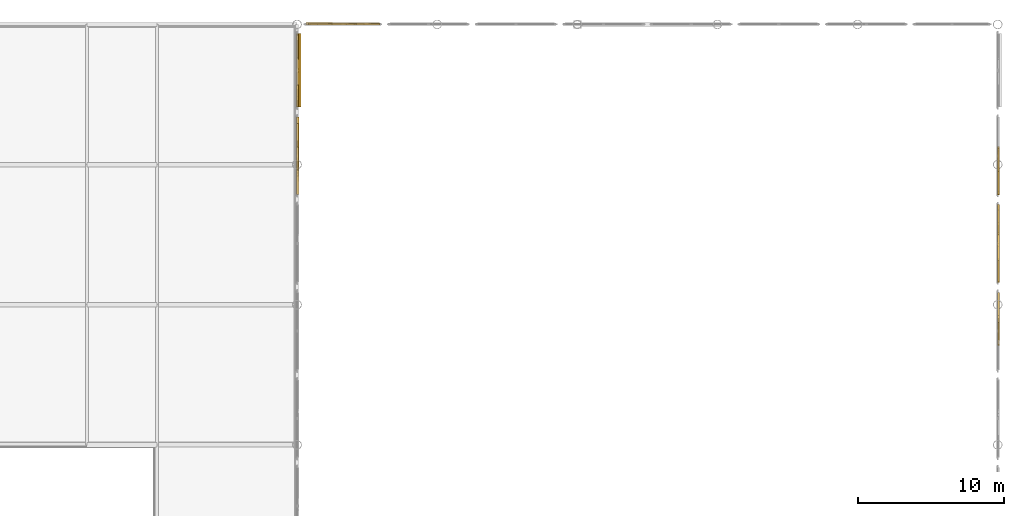
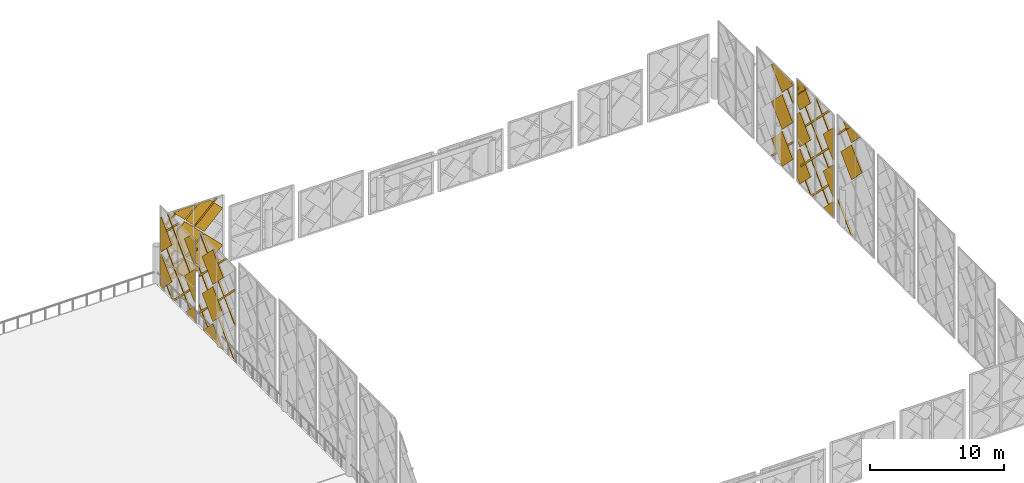
# One storey, part 51 of 53: 51 coverings.
"""IFC4 building model written with IfcOpenShell, lengths in metres."""

from ifc_helpers import new_model, si_unit, direction, frame, origin, place, context, subcontext, project, spatial, polyline, outline, extrude, material, layer, layer_set, type_object, element, save


model = new_model("IFC4")

# Units and contexts
model_context = context("Model", 3, precision=1e-05, world=origin(), true_north=direction((0.0, 1.0)))
body_context = subcontext(model_context, "Body", "Model", "MODEL_VIEW")
ifc_project = project(units=[si_unit("LENGTHUNIT", "METRE"), si_unit("AREAUNIT", "SQUARE_METRE"), si_unit("VOLUMEUNIT", "CUBIC_METRE"), si_unit("PLANEANGLEUNIT", "RADIAN"), si_unit("MASSUNIT", "GRAM", prefix="KILO")], contexts=[model_context])

# Site, building, storey
site_placement = place(None, origin())
site = spatial("IfcSite", under=ifc_project, at=site_placement, CompositionType="ELEMENT")
building_placement = place(site_placement, origin())
building = spatial("IfcBuilding", under=site, at=building_placement, Name="Zevrakil Square Congress Hotel", CompositionType="ELEMENT")
storey_placement = place(building_placement, frame((0.0, 0.0, 14.699951171875)))
storey = spatial("IfcBuildingStorey", under=building, at=storey_placement, Name="L04", CompositionType="ELEMENT", Elevation=14.699951171875)

# Coverings
ifc_material_1 = material(Name="Architectural White Fibre-C GRC", Category="concrete")
ifc_layer_1 = layer(ifc_material_1, 0.06494140625)
ifc_layer_set_1 = layer_set([ifc_layer_1], Name="Architectural White Fibre-C GRC")
covering_type_1 = type_object("IfcCoveringType", Name="COV-DIA-WHITE", PredefinedType="CLADDING", material=ifc_layer_set_1)
covering_1_placement = place(storey_placement, frame((117.694091796875, 104.409912109375, 1.330078125), z_axis=(0.999999790873, 0.0, 0.000646725815), x_axis=(0.000457304257, 0.707106707249, -0.707106707249)))
element("IfcCovering", 1, at=covering_1_placement, inside=storey, type_object=covering_type_1, Name="L04 45-degree white GRC diamond facade cassette 1248", PredefinedType="CLADDING", context=body_context, shape_type="SweptSolid", body=[
    extrude(outline(polyline([(0.0, 0.0), (2.1354765131557993, 0.0), (4.465861884739297e-07, -2.1354765131557527), (0.0, 0.0)])), origin(), (0.0, 0.0, -1.0), 0.1201171875),
])
covering_2_placement = place(storey_placement, frame((117.69189453125, 104.409912109375, 4.68994140625), z_axis=(0.999999811377, 0.0, 0.000614203339), x_axis=(0.000434274062, 0.707160967493, -0.707052457361)))
element("IfcCovering", 2, at=covering_2_placement, inside=storey, type_object=covering_type_1, Name="L04 45-degree white GRC diamond facade cassette 1250", PredefinedType="CLADDING", context=body_context, shape_type="SweptSolid", body=[
    extrude(outline(polyline([(0.0, 0.0), (2.248551551510707, 2.220446049250313e-16), (2.248379328934688, -2.248723959707921), (-0.00017198403640539262, -2.2483789048388836), (0.0, 0.0)])), origin(), (0.0, 0.0, -1.0), 0.1201171875),
])
covering_3_placement = place(storey_placement, frame((117.68994140625, 104.409912109375, 8.050048828125), z_axis=(0.999999811377, 0.0, 0.000614203339), x_axis=(0.000434307387, 0.707106714509, -0.707106714488)))
element("IfcCovering", 3, at=covering_3_placement, inside=storey, type_object=covering_type_1, Name="L04 45-degree white GRC diamond facade cassette 1252", PredefinedType="CLADDING", context=body_context, shape_type="SweptSolid", body=[
    extrude(outline(polyline([(0.0, 0.0), (2.2487240723349844, 0.0), (2.2485518629555123, -2.248551438892285), (0.00017305757096663932, -2.248551438827165), (0.0, 0.0)])), origin(), (0.0, 0.0, -1.0), 0.1201171875),
])
covering_4_placement = place(storey_placement, frame((117.695068359375, 108.56005859375, -0.179931640625), z_axis=(0.999999760125, 0.0, 0.000692640526), x_axis=(0.0, -1.0, 0.0)))
element("IfcCovering", 4, at=covering_4_placement, inside=storey, type_object=covering_type_1, Name="L04 45-degree white GRC diamond facade cassette 1261", PredefinedType="CLADDING", context=body_context, shape_type="SweptSolid", body=[
    extrude(outline(polyline([(0.0, 0.0), (1.41015625, 0.0), (1.41015625, -1.4099124475784226), (0.0, 0.0)])), origin(), (0.0, 0.0, -1.0), 0.1201171875),
])
covering_5_placement = place(storey_placement, frame((117.69482421875, 112.090087890625, -0.169921875), z_axis=(0.999999852362, 6.9136546e-05, 0.000538976151), x_axis=(-0.0003322268, -0.707106744146, 0.70710674018)))
element("IfcCovering", 5, at=covering_5_placement, inside=storey, type_object=covering_type_1, Name="L04 45-degree white GRC diamond facade cassette 1262", PredefinedType="CLADDING", context=body_context, shape_type="SweptSolid", body=[
    extrude(outline(polyline([(0.0, 0.0), (2.2487239795162237, 2.220446049250313e-16), (2.2485516641692254, -2.248551438863067), (2.1214934214367727, -2.2485514566580305), (0.00017263312519986973, -0.12723087144925127), (0.0, 0.0)])), origin(), (0.0, 0.0, -1.0), 0.1201171875),
])
covering_6_placement = place(storey_placement, frame((117.693115234375, 108.639892578125, 3.10009765625), z_axis=(0.9999998322, -8.1926907e-05, 0.000573488352), x_axis=(0.000347586468, -0.707106738472, -0.707106738472)))
element("IfcCovering", 6, at=covering_6_placement, inside=storey, type_object=covering_type_1, Name="L04 45-degree white GRC diamond facade cassette 1263", PredefinedType="CLADDING", context=body_context, shape_type="SweptSolid", body=[
    extrude(outline(polyline([(0.0, 0.0), (2.107164524546562, -2.220446049250313e-16), (-3.394399104017509e-07, -2.1071646235498394), (0.0, 0.0)])), origin(), (0.0, 0.0, -1.0), 0.1201171875),
])
covering_7_placement = place(storey_placement, frame((117.69287109375, 112.090087890625, 3.18994140625), z_axis=(0.999999803681, -0.000134428833, 0.000612019203), x_axis=(-0.000527818487, -0.707106705027, 0.707106660351)))
element("IfcCovering", 7, at=covering_7_placement, inside=storey, type_object=covering_type_1, Name="L04 45-degree white GRC diamond facade cassette 1264", PredefinedType="CLADDING", context=body_context, shape_type="SweptSolid", body=[
    extrude(outline(polyline([(0.0, 0.0), (2.2487240624961817, -2.220446049250313e-16), (2.2487245069052637, -2.2487240618501434), (2.1214935125356007, -2.2485513645797712), (0.00017262944814652736, -0.1272308759555356), (0.0, 0.0)])), origin(), (0.0, 0.0, -1.0), 0.1201171875),
])
covering_8_placement = place(storey_placement, frame((117.69091796875, 108.639892578125, 6.4599609375), z_axis=(0.999999787923, 2.780311e-06, 0.000651265036), x_axis=(0.000462479949, -0.707106705252, -0.70710670588)))
element("IfcCovering", 8, at=covering_8_placement, inside=storey, type_object=covering_type_1, Name="L04 45-degree white GRC diamond facade cassette 1265", PredefinedType="CLADDING", context=body_context, shape_type="SweptSolid", body=[
    extrude(outline(polyline([(0.0, 0.0), (2.1071646235488783, 2.220446049250313e-16), (0.5189359934280854, -1.5882282890116075), (-0.00017285976820125004, -1.0691193243271722), (0.0, 0.0)])), origin(), (0.0, 0.0, -1.0), 0.1201171875),
])
covering_9_placement = place(storey_placement, frame((165.68994140625, 92.409912109375, 8.050048828125), z_axis=(0.999999811377, 0.0, 0.000614203339), x_axis=(0.000434307387, 0.707106714509, -0.707106714488)))
element("IfcCovering", 9, at=covering_9_placement, inside=storey, type_object=covering_type_1, Name="L04 45-degree white GRC diamond facade cassette 1330", PredefinedType="CLADDING", context=body_context, shape_type="SweptSolid", body=[
    extrude(outline(polyline([(0.0, 0.0), (2.2487240723349844, 0.0), (2.2485518629555123, -2.248551438892285), (0.00017305757096663932, -2.248551438827165), (0.0, 0.0)])), origin(), (0.0, 0.0, -1.0), 0.1201171875),
])
covering_10_placement = place(storey_placement, frame((165.68994140625, 92.409912109375, 8.22998046875), z_axis=(0.999999824452, 0.0, 0.000592533967), x_axis=(-0.000419026202, -0.70703687796, 0.70717655336)))
element("IfcCovering", 10, at=covering_10_placement, inside=storey, type_object=covering_type_1, Name="L04 45-degree white GRC diamond facade cassette 1332", PredefinedType="CLADDING", context=body_context, shape_type="SweptSolid", body=[
    extrude(outline(polyline([(0.0, 0.0), (1.7479142634208928, 1.1102230246251565e-16), (0.00017295742967926575, -1.7480868798158407), (0.0, 0.0)])), origin(), (0.0, 0.0, -1.0), 0.1201171875),
])
covering_11_placement = place(storey_placement, frame((165.695068359375, 96.56005859375, -0.179931640625), z_axis=(0.999999760125, 0.0, 0.000692640526), x_axis=(0.0, -1.0, 0.0)))
element("IfcCovering", 11, at=covering_11_placement, inside=storey, type_object=covering_type_1, Name="L04 45-degree white GRC diamond facade cassette 1341", PredefinedType="CLADDING", context=body_context, shape_type="SweptSolid", body=[
    extrude(outline(polyline([(0.0, 0.0), (1.41015625, 0.0), (1.41015625, -1.4099124475784226), (0.0, 0.0)])), origin(), (0.0, 0.0, -1.0), 0.1201171875),
])
covering_12_placement = place(storey_placement, frame((165.69482421875, 100.090087890625, -0.169921875), z_axis=(0.99999985684, 5.4809643e-05, 0.000532274308), x_axis=(-0.00033761853, -0.707106744383, 0.707106737389)))
element("IfcCovering", 12, at=covering_12_placement, inside=storey, type_object=covering_type_1, Name="L04 45-degree white GRC diamond facade cassette 1342", PredefinedType="CLADDING", context=body_context, shape_type="SweptSolid", body=[
    extrude(outline(polyline([(0.0, 0.0), (2.2487239794044704, 0.0), (2.2485516645083075, -2.2485514384696526), (1.739628078143224, -2.248551405931103), (7.990954326020372e-08, -0.5089235904418198), (0.0, 0.0)])), origin(), (0.0, 0.0, -1.0), 0.1201171875),
])
covering_13_placement = place(storey_placement, frame((165.693115234375, 96.639892578125, 3.10009765625), z_axis=(0.9999998322, -8.1926907e-05, 0.000573488352), x_axis=(0.000347586468, -0.707106738472, -0.707106738472)))
element("IfcCovering", 13, at=covering_13_placement, inside=storey, type_object=covering_type_1, Name="L04 45-degree white GRC diamond facade cassette 1343", PredefinedType="CLADDING", context=body_context, shape_type="SweptSolid", body=[
    extrude(outline(polyline([(0.0, 0.0), (2.107164524546562, -2.220446049250313e-16), (-3.394399104017509e-07, -2.1071646235498394), (0.0, 0.0)])), origin(), (0.0, 0.0, -1.0), 0.1201171875),
])
covering_14_placement = place(storey_placement, frame((165.69287109375, 100.090087890625, 3.18994140625), z_axis=(0.999999812837, 0.0, 0.000611822413), x_axis=(-0.000432623818, -0.707106714509, 0.707106715519)))
element("IfcCovering", 14, at=covering_14_placement, inside=storey, type_object=covering_type_1, Name="L04 45-degree white GRC diamond facade cassette 1344", PredefinedType="CLADDING", context=body_context, shape_type="SweptSolid", body=[
    extrude(outline(polyline([(0.0, 0.0), (2.2487240723319237, 0.0), (2.248724496421547, -2.2487240723318838), (1.7396282720071192, -2.248551428883111), (0.00017273945985246675, -0.5090962243818599), (0.0, 0.0)])), origin(), (0.0, 0.0, -1.0), 0.1201171875),
])
covering_15_placement = place(storey_placement, frame((165.69091796875, 96.639892578125, 6.4599609375), z_axis=(0.9999998322, 8.1926907e-05, 0.000573488352), x_axis=(0.000463448602, -0.707106705249, -0.707106705249)))
element("IfcCovering", 15, at=covering_15_placement, inside=storey, type_object=covering_type_1, Name="L04 45-degree white GRC diamond facade cassette 1345", PredefinedType="CLADDING", context=body_context, shape_type="SweptSolid", body=[
    extrude(outline(polyline([(0.0, 0.0), (2.107164623549867, -2.220446049250313e-16), (-3.3943989441453937e-07, -2.1071645245465347), (0.0, 0.0)])), origin(), (0.0, 0.0, -1.0), 0.1201171875),
])
covering_16_placement = place(storey_placement, frame((165.69091796875, 100.090087890625, 6.550048828125), z_axis=(0.999999838431, -9.352722e-06, 0.000568375038), x_axis=(-0.000408515253, -0.707106714984, 0.707106729384)))
element("IfcCovering", 16, at=covering_16_placement, inside=storey, type_object=covering_type_1, Name="L04 45-degree white GRC diamond facade cassette 1346", PredefinedType="CLADDING", context=body_context, shape_type="SweptSolid", body=[
    extrude(outline(polyline([(0.0, 0.0), (2.248724071588953, -2.220446049250313e-16), (2.2487242847524063, -1.3448149867361068), (1.5423081036697395, -2.0512313000327316), (0.00017273839596110285, -0.5090962231377676), (0.0, 0.0)])), origin(), (0.0, 0.0, -1.0), 0.1201171875),
])
covering_17_placement = place(storey_placement, frame((165.693115234375, 102.72998046875, 3.010009765625), z_axis=(0.999999856477, 2.18091e-07, 0.000535767289), x_axis=(0.000378661405, 0.70716100192, -0.707052454899)))
element("IfcCovering", 17, at=covering_17_placement, inside=storey, type_object=covering_type_1, Name="L04 45-degree white GRC diamond facade cassette 1356", PredefinedType="CLADDING", context=body_context, shape_type="SweptSolid", body=[
    extrude(outline(polyline([(0.0, 0.0), (2.2485514420054766, 2.220446049250313e-16), (2.2483791200414514, -2.248723969768042), (0.013811095500841475, -2.2485525000985067), (-0.00017114298715226184, -2.234568117059487), (0.0, 0.0)])), origin(), (0.0, 0.0, -1.0), 0.1201171875),
])
covering_18_placement = place(storey_placement, frame((165.69091796875, 102.72998046875, 6.3701171875), z_axis=(0.999999812584, 0.0, 0.000612235231), x_axis=(0.000432915724, 0.707106714509, -0.707106715341)))
element("IfcCovering", 18, at=covering_18_placement, inside=storey, type_object=covering_type_1, Name="L04 45-degree white GRC diamond facade cassette 1358", PredefinedType="CLADDING", context=body_context, shape_type="SweptSolid", body=[
    extrude(outline(polyline([(0.0, 0.0), (2.2487240723329105, -2.220446049250313e-16), (2.2487244964245092, -2.248724072332871), (0.014156369068123897, -2.2487240696714954), (4.240832742752332e-07, -2.2345681273563454), (0.0, 0.0)])), origin(), (0.0, 0.0, -1.0), 0.1201171875),
])
covering_19_placement = place(storey_placement, frame((165.68994140625, 104.320068359375, 8.14013671875), z_axis=(0.999999735551, -1.172327e-06, 0.000727252544), x_axis=(0.000513416292, -0.707106716816, -0.707106659167)))
element("IfcCovering", 19, at=covering_19_placement, inside=storey, type_object=covering_type_1, Name="L04 45-degree white GRC diamond facade cassette 1360", PredefinedType="CLADDING", context=body_context, shape_type="SweptSolid", body=[
    extrude(outline(polyline([(0.0, 0.0), (2.2487240652925458, 0.0), (2.2487236549996803, -2.2345681205691044), (2.2345677111394115, -2.24872406182791), (1.96439620719622, -2.2485514936769815), (0.00017251971333281935, -0.2843274485744313), (0.0, 0.0)])), origin(), (0.0, 0.0, -1.0), 0.1201171875),
])
covering_20_placement = place(storey_placement, frame((119.989990234375, 112.89404296875, 1.330078125), z_axis=(0.0, 0.999999790873, 0.000646725815), x_axis=(-0.707106707249, 0.000457304257, -0.707106707249)))
element("IfcCovering", 20, at=covering_20_placement, inside=storey, type_object=covering_type_1, Name="L04 45-degree white GRC diamond facade cassette 1446", PredefinedType="CLADDING", context=body_context, shape_type="SweptSolid", body=[
    extrude(outline(polyline([(0.0, 0.0), (2.1354765131557993, 0.0), (4.465861884739297e-07, -2.1354765131557527), (0.0, 0.0)])), origin(), (0.0, 0.0, -1.0), 0.1201171875),
])
covering_21_placement = place(storey_placement, frame((121.669921875, 112.89306640625, 3.010009765625), z_axis=(2.3579e-08, 0.999999812541, 0.0006123053), x_axis=(-0.707106714489, 0.000432981944, -0.707106715321)))
element("IfcCovering", 21, at=covering_21_placement, inside=storey, type_object=covering_type_1, Name="L04 45-degree white GRC diamond facade cassette 1447", PredefinedType="CLADDING", context=body_context, shape_type="SweptSolid", body=[
    extrude(outline(polyline([(0.0, 0.0), (2.248378805382471, -2.220446049250313e-16), (2.248551863014511, -2.248551438825186), (0.01398373565752209, -2.2485514362281265), (4.241484949929486e-07, -2.2345681273566456), (0.0, 0.0)])), origin(), (0.0, 0.0, -1.0), 0.1201171875),
])
covering_22_placement = place(storey_placement, frame((119.989990234375, 112.89208984375, 4.68994140625), z_axis=(0.0, 0.999999855586, 0.000537427945), x_axis=(-0.707161001881, 0.000379989803, -0.707052454226)))
element("IfcCovering", 22, at=covering_22_placement, inside=storey, type_object=covering_type_1, Name="L04 45-degree white GRC diamond facade cassette 1448", PredefinedType="CLADDING", context=body_context, shape_type="SweptSolid", body=[
    extrude(outline(polyline([(0.0, 0.0), (2.2485514421697053, 2.220446049250313e-16), (2.2483791201710894, -2.248723969644624), (-0.0003448494557509729, -2.2485514157257587), (0.0, 0.0)])), origin(), (0.0, 0.0, -1.0), 0.1201171875),
])
covering_23_placement = place(storey_placement, frame((120.080078125, 112.89208984375, 4.780029296875), z_axis=(0.0, 0.999999842103, 0.000561955119), x_axis=(0.70705245498, 0.000397392802, -0.707160991561)))
element("IfcCovering", 23, at=covering_23_placement, inside=storey, type_object=covering_type_1, Name="L04 45-degree white GRC diamond facade cassette 1449", PredefinedType="CLADDING", context=body_context, shape_type="SweptSolid", body=[
    extrude(outline(polyline([(0.0, 0.0), (2.248551346935006, -2.220446049250313e-16), (2.2483795595996554, -2.234568022002061), (2.234222528030325, -2.2487228784849247), (0.7209171744248163, -2.2486067889930266), (-0.0002901392735069619, -1.5272886519692042), (0.0, 0.0)])), origin(), (0.0, 0.0, -1.0), 0.1201171875),
])
covering_24_placement = place(storey_placement, frame((119.989990234375, 112.891845703125, 4.8701171875), z_axis=(0.0, 0.999999878368, 0.000493218189), x_axis=(0.707106738183, -0.000348757947, 0.707106738183)))
element("IfcCovering", 24, at=covering_24_placement, inside=storey, type_object=covering_type_1, Name="L04 45-degree white GRC diamond facade cassette 1450", PredefinedType="CLADDING", context=body_context, shape_type="SweptSolid", body=[
    extrude(outline(polyline([(0.0, 0.0), (1.40005770121603, 0.0), (1.7029196641704658e-07, -1.4000577012160196), (0.0, 0.0)])), origin(), (0.0, 0.0, -1.0), 0.1201171875),
])
ifc_material_2 = material(Name="Anodised Champagne Aluminium", Category="aluminium")
ifc_layer_2 = layer(ifc_material_2, 0.0849609375)
ifc_layer_set_2 = layer_set([ifc_layer_2], Name="Anodised Champagne Aluminium")
covering_type_2 = type_object("IfcCoveringType", Name="COV-DIAGRID-45", PredefinedType="MOLDING", material=ifc_layer_set_2)
covering_25_placement = place(storey_placement, frame((117.718017578125, 101.14990234375, 3.093994140625), z_axis=(0.99999990472, 0.000308497425, 0.000308852427), x_axis=(-0.000308852413, -9.528e-08, 0.999999952305)))
element("IfcCovering", 25, at=covering_25_placement, inside=storey, type_object=covering_type_2, Name="L04 45-degree aluminium diagrid rib 1255", PredefinedType="MOLDING", context=body_context, shape_type="SweptSolid", body=[
    extrude(outline(polyline([(0.0, 0.0), (0.21215819300613317, -2.8078904387053947e-24), (5.247070562758569, -5.034912848904865), (5.247070542520835, -5.247315182547628), (0.0, 0.0)])), origin(), (0.0, 0.0, -1.0), 0.14501953125),
])
covering_26_placement = place(storey_placement, frame((117.719970703125, 101.236083984375, -0.179931640625), z_axis=(0.999999877937, 0.000478784596, 0.000122029576), x_axis=(0.000478784592, -0.999999885383, 5.8426e-08)))
element("IfcCovering", 26, at=covering_26_placement, inside=storey, type_object=covering_type_2, Name="L04 45-degree aluminium diagrid rib 1256", PredefinedType="MOLDING", context=body_context, shape_type="SweptSolid", body=[
    extrude(outline(polyline([(0.0, 0.0), (0.08618163074708864, 0.0), (0.08618163810738114, -0.1259765615620276), (-5.213867792460008, -5.426025737525873), (-5.213867804855539, -5.213867535980521), (0.0, 0.0)])), origin(), (0.0, 0.0, -1.0), 0.14501953125),
])
covering_27_placement = place(storey_placement, frame((117.719970703125, 104.59619140625, -0.179931640625), z_axis=(0.999999903024, 0.000311410035, 0.000311410035), x_axis=(0.000311410019, -0.999999951512, 9.6976e-08)))
element("IfcCovering", 27, at=covering_27_placement, inside=storey, type_object=covering_type_2, Name="L04 45-degree aluminium diagrid rib 1257", PredefinedType="MOLDING", context=body_context, shape_type="SweptSolid", body=[
    extrude(outline(polyline([(0.0, 0.0), (0.21240233345101264, 0.0), (-1.8537598555103045, -2.0661623893299237), (-1.8537598761082796, -1.853760055878912), (0.0, 0.0)])), origin(), (0.0, 0.0, -1.0), 0.14501953125),
])
covering_28_placement = place(storey_placement, frame((117.716064453125, 101.14990234375, 6.25390625), z_axis=(0.999999834662, -7.68172e-07, 0.000575043033), x_axis=(-0.000575043033, 4.42e-10, 0.999999834663)))
element("IfcCovering", 28, at=covering_28_placement, inside=storey, type_object=covering_type_2, Name="L04 45-degree aluminium diagrid rib 1259", PredefinedType="MOLDING", context=body_context, shape_type="SweptSolid", body=[
    extrude(outline(polyline([(0.0, 0.0), (0.2121581680473443, 0.0), (-5.087647325552662, -5.300048830373941), (-5.3000497745760065, -5.300048830561482), (0.0, 0.0)])), origin(), (0.0, 0.0, -1.0), 0.14501953125),
])
covering_29_placement = place(storey_placement, frame((117.71484375, 102.4228515625, 8.341064453125), z_axis=(0.999999581473, 0.000279617206, 0.000871130299), x_axis=(-0.0002796171, 0.999999960907, -2.43583e-07)))
element("IfcCovering", 29, at=covering_29_placement, inside=storey, type_object=covering_type_2, Name="L04 45-degree aluminium diagrid rib 1260", PredefinedType="MOLDING", context=body_context, shape_type="SweptSolid", body=[
    extrude(outline(polyline([(0.0, 0.0), (0.21215819483112233, 0.0), (4.027099766805976, -3.814941872835875), (4.027099750218219, -4.027100208139122), (0.0, 0.0)])), origin(), (0.0, 0.0, -1.0), 0.14501953125),
])
covering_30_placement = place(storey_placement, frame((117.718017578125, 107.14990234375, 3.093994140625), z_axis=(0.999999907611, 0.000303781174, 0.00030413075), x_axis=(-0.000304130736, -9.2389e-08, 0.999999953752)))
element("IfcCovering", 30, at=covering_30_placement, inside=storey, type_object=covering_type_2, Name="L04 45-degree aluminium diagrid rib 1266", PredefinedType="MOLDING", context=body_context, shape_type="SweptSolid", body=[
    extrude(outline(polyline([(0.0, 0.0), (0.21215819331315888, -2.8078904387053947e-24), (4.122070503136517, -3.909912670619058), (4.122070483512835, -4.1223150045684935), (0.0, 0.0)])), origin(), (0.0, 0.0, -1.0), 0.14501953125),
])
covering_31_placement = place(storey_placement, frame((117.719970703125, 107.236083984375, -0.179931640625), z_axis=(0.999999753919, -8.7267435e-05, 0.000696093713), x_axis=(-8.7267414e-05, -0.999999996192, -6.0746e-08)))
element("IfcCovering", 31, at=covering_31_placement, inside=storey, type_object=covering_type_2, Name="L04 45-degree aluminium diagrid rib 1267", PredefinedType="MOLDING", context=body_context, shape_type="SweptSolid", body=[
    extrude(outline(polyline([(0.0, 0.0), (0.08618164029683732, 0.0), (0.0861816326442256, -0.1259765319792475), (-4.943847673661377, -5.156006819494465), (-4.94384768207907, -4.943848497824969), (0.0, 0.0)])), origin(), (0.0, 0.0, -1.0), 0.14501953125),
])
covering_32_placement = place(storey_placement, frame((117.719970703125, 110.59619140625, -0.179931640625), z_axis=(0.999999916523, 0.000288757226, 0.000289089512), x_axis=(0.000288757214, -0.99999995831, 8.3477e-08)))
element("IfcCovering", 32, at=covering_32_placement, inside=storey, type_object=covering_type_2, Name="L04 45-degree aluminium diagrid rib 1268", PredefinedType="MOLDING", context=body_context, shape_type="SweptSolid", body=[
    extrude(outline(polyline([(0.0, 0.0), (0.21240233489486798, -2.81112161297318e-24), (-1.5837403004017168, -1.796142785384697), (-1.5837403181119811, -1.5839845911250197), (0.0, 0.0)])), origin(), (0.0, 0.0, -1.0), 0.14501953125),
])
covering_33_placement = place(storey_placement, frame((117.718017578125, 107.14990234375, 2.89404296875), z_axis=(0.999999905696, -0.00030708991, 0.00030708991), x_axis=(-0.000307089896, 9.4304e-08, 0.999999952848)))
element("IfcCovering", 33, at=covering_33_placement, inside=storey, type_object=covering_type_2, Name="L04 45-degree aluminium diagrid rib 1269", PredefinedType="MOLDING", context=body_context, shape_type="SweptSolid", body=[
    extrude(outline(polyline([(0.0, 0.0), (0.2121581931212936, 0.0), (-3.0739747543193885, -3.2861332573369064), (-3.073974774326802, -3.0739750642156136), (0.0, 0.0)])), origin(), (0.0, 0.0, -1.0), 0.14501953125),
])
covering_34_placement = place(storey_placement, frame((117.716064453125, 107.14990234375, 6.25390625), z_axis=(-0.999999830382, 0.000582439352, 0.0), x_axis=(0.0, 0.0, 1.0)))
element("IfcCovering", 34, at=covering_34_placement, inside=storey, type_object=covering_type_2, Name="L04 45-degree aluminium diagrid rib 1270", PredefinedType="MOLDING", context=body_context, shape_type="SweptSolid", body=[
    extrude(outline(polyline([(0.0, 0.0), (0.212158203125, 0.0), (-4.81787109375, 5.0300301500577165), (-5.030029296875, 5.0300301500577165), (0.0, 0.0)])), origin(), (0.0, 0.0, -1.0), 0.14501953125),
])
covering_35_placement = place(storey_placement, frame((117.715576171875, 109.5478515625, 7.216064453125), z_axis=(0.999999915927, -0.0002899531, 0.0002899531), x_axis=(0.000289953088, 0.999999957964, 8.4073e-08)))
element("IfcCovering", 35, at=covering_35_placement, inside=storey, type_object=covering_type_2, Name="L04 45-degree aluminium diagrid rib 1271", PredefinedType="MOLDING", context=body_context, shape_type="SweptSolid", body=[
    extrude(outline(polyline([(0.0, 0.0), (0.2121581942066327, 0.0), (2.6320801887681777, -2.4199221980111894), (2.632080170931443, -2.6320803922178215), (0.0, 0.0)])), origin(), (0.0, 0.0, -1.0), 0.14501953125),
])
covering_36_placement = place(storey_placement, frame((165.719970703125, 92.59619140625, -0.179931640625), z_axis=(0.999999903024, 0.000311410035, 0.000311410035), x_axis=(0.000311410019, -0.999999951512, 9.6976e-08)))
element("IfcCovering", 36, at=covering_36_placement, inside=storey, type_object=covering_type_2, Name="L04 45-degree aluminium diagrid rib 1336", PredefinedType="MOLDING", context=body_context, shape_type="SweptSolid", body=[
    extrude(outline(polyline([(0.0, 0.0), (0.21240233345101264, 0.0), (-1.8537598555103045, -2.0661623893299237), (-1.8537598761082796, -1.853760055878912), (0.0, 0.0)])), origin(), (0.0, 0.0, -1.0), 0.14501953125),
])
covering_37_placement = place(storey_placement, frame((165.714111328125, 92.657958984375, 9.466064453125), z_axis=(0.999999916124, -0.00028978025, 0.000289447169), x_axis=(0.000289780238, 0.999999958014, 8.3876e-08)))
element("IfcCovering", 37, at=covering_37_placement, inside=storey, type_object=covering_type_2, Name="L04 45-degree aluminium diagrid rib 1340", PredefinedType="MOLDING", context=body_context, shape_type="SweptSolid", body=[
    extrude(outline(polyline([(0.0, 0.0), (0.21215819421726256, 0.0), (1.79199226273912, -1.5798342008592756), (1.7919922449236447, -1.7922365357117762), (0.0, 0.0)])), origin(), (0.0, 0.0, -1.0), 0.14501953125),
])
covering_38_placement = place(storey_placement, frame((165.716064453125, 95.14990234375, 6.453857421875), z_axis=(0.99999957125, -0.000261361694, 0.000888363516), x_axis=(-0.000888363565, -6.8231e-08, 0.999999605405)))
element("IfcCovering", 38, at=covering_38_placement, inside=storey, type_object=covering_type_2, Name="L04 45-degree aluminium diagrid rib 1347", PredefinedType="MOLDING", context=body_context, shape_type="SweptSolid", body=[
    extrude(outline(polyline([(0.0, 0.0), (0.21240247682273486, -1.3234889800848443e-23), (2.6372073433563488, -2.425049090892764), (2.6372073288805025, -2.6372072867715066), (0.0, 0.0)])), origin(), (0.0, 0.0, -1.0), 0.14501953125),
])
covering_39_placement = place(storey_placement, frame((165.718017578125, 95.14990234375, 3.093994140625), z_axis=(0.999999833392, 4.64879e-05, 0.000575373897), x_axis=(-0.000575373897, -2.6748e-08, 0.999999834472)))
element("IfcCovering", 39, at=covering_39_placement, inside=storey, type_object=covering_type_2, Name="L04 45-degree aluminium diagrid rib 1348", PredefinedType="MOLDING", context=body_context, shape_type="SweptSolid", body=[
    extrude(outline(polyline([(0.0, 0.0), (0.2121581680069672, 7.019726096763487e-25), (5.5122079436724105, -5.300048981292179), (5.300049635193301, -5.300048969942592), (0.0, 0.0)])), origin(), (0.0, 0.0, -1.0), 0.14501953125),
])
covering_40_placement = place(storey_placement, frame((165.719970703125, 95.236083984375, -0.179931640625), z_axis=(0.999999877937, 0.000478784596, 0.000122029576), x_axis=(0.000478784592, -0.999999885383, 5.8426e-08)))
element("IfcCovering", 40, at=covering_40_placement, inside=storey, type_object=covering_type_2, Name="L04 45-degree aluminium diagrid rib 1349", PredefinedType="MOLDING", context=body_context, shape_type="SweptSolid", body=[
    extrude(outline(polyline([(0.0, 0.0), (0.08618163074708864, 0.0), (0.08618163810738114, -0.1259765615620276), (-5.213867792460008, -5.426025737525873), (-5.213867804855539, -5.213867535980521), (0.0, 0.0)])), origin(), (0.0, 0.0, -1.0), 0.14501953125),
])
covering_41_placement = place(storey_placement, frame((165.719970703125, 98.59619140625, -0.179931640625), z_axis=(0.999999903024, 0.000311410035, 0.000311410035), x_axis=(0.000311410019, -0.999999951512, 9.6976e-08)))
element("IfcCovering", 41, at=covering_41_placement, inside=storey, type_object=covering_type_2, Name="L04 45-degree aluminium diagrid rib 1350", PredefinedType="MOLDING", context=body_context, shape_type="SweptSolid", body=[
    extrude(outline(polyline([(0.0, 0.0), (0.21240233345101264, 0.0), (-1.8537598555103045, -2.0661623893299237), (-1.8537598761082796, -1.853760055878912), (0.0, 0.0)])), origin(), (0.0, 0.0, -1.0), 0.14501953125),
])
covering_42_placement = place(storey_placement, frame((165.718017578125, 95.14990234375, 2.89404296875), z_axis=(0.999999905696, -0.00030708991, 0.00030708991), x_axis=(-0.000307089896, 9.4304e-08, 0.999999952848)))
element("IfcCovering", 42, at=covering_42_placement, inside=storey, type_object=covering_type_2, Name="L04 45-degree aluminium diagrid rib 1351", PredefinedType="MOLDING", context=body_context, shape_type="SweptSolid", body=[
    extrude(outline(polyline([(0.0, 0.0), (0.2121581931212936, 0.0), (-3.0739747543193885, -3.2861332573369064), (-3.073974774326802, -3.0739750642156136), (0.0, 0.0)])), origin(), (0.0, 0.0, -1.0), 0.14501953125),
])
covering_43_placement = place(storey_placement, frame((165.716064453125, 95.14990234375, 6.25390625), z_axis=(0.999999834662, -7.68172e-07, 0.000575043033), x_axis=(-0.000575043033, 4.42e-10, 0.999999834663)))
element("IfcCovering", 43, at=covering_43_placement, inside=storey, type_object=covering_type_2, Name="L04 45-degree aluminium diagrid rib 1352", PredefinedType="MOLDING", context=body_context, shape_type="SweptSolid", body=[
    extrude(outline(polyline([(0.0, 0.0), (0.2121581680473443, 0.0), (-5.087647325552662, -5.300048830373941), (-5.3000497745760065, -5.300048830561482), (0.0, 0.0)])), origin(), (0.0, 0.0, -1.0), 0.14501953125),
])
covering_44_placement = place(storey_placement, frame((165.71435546875, 95.6728515625, 9.091064453125), z_axis=(0.999999578623, 0.00027483814, 0.000875909362), x_axis=(-0.000274838034, 0.999999962232, -2.40733e-07)))
element("IfcCovering", 44, at=covering_44_placement, inside=storey, type_object=covering_type_2, Name="L04 45-degree aluminium diagrid rib 1353", PredefinedType="MOLDING", context=body_context, shape_type="SweptSolid", body=[
    extrude(outline(polyline([(0.0, 0.0), (0.21215819511220851, 0.0), (4.777099789796515, -4.564942007394465), (4.777099773770932, -4.777100342978797), (0.0, 0.0)])), origin(), (0.0, 0.0, -1.0), 0.14501953125),
])
covering_45_placement = place(storey_placement, frame((165.71435546875, 99.032958984375, 9.091064453125), z_axis=(0.999999921968, -0.000279503233, 0.000279181965), x_axis=(0.000279503223, 0.999999960939, 7.8032e-08)))
element("IfcCovering", 45, at=covering_45_placement, inside=storey, type_object=covering_type_2, Name="L04 45-degree aluminium diagrid rib 1354", PredefinedType="MOLDING", context=body_context, shape_type="SweptSolid", body=[
    extrude(outline(polyline([(0.0, 0.0), (0.21215819483788217, 0.0), (1.416992242849176, -1.2048341419000534), (1.41699222627494, -1.4172364773724604), (0.0, 0.0)])), origin(), (0.0, 0.0, -1.0), 0.14501953125),
])
covering_46_placement = place(storey_placement, frame((165.716064453125, 101.14990234375, 6.453857421875), z_axis=(0.999999574395, -0.000266426087, 0.000883304948), x_axis=(-0.000883304999, -7.0901e-08, 0.999999609886)))
element("IfcCovering", 46, at=covering_46_placement, inside=storey, type_object=covering_type_2, Name="L04 45-degree aluminium diagrid rib 1361", PredefinedType="MOLDING", context=body_context, shape_type="SweptSolid", body=[
    extrude(outline(polyline([(0.0, 0.0), (0.2124024765395195, 0.0), (1.8872072545143885, -1.6750490213801978), (1.887207239472112, -1.887207216975399), (0.0, 0.0)])), origin(), (0.0, 0.0, -1.0), 0.14501953125),
])
covering_47_placement = place(storey_placement, frame((165.718017578125, 101.14990234375, 2.89404296875), z_axis=(0.999999905696, -0.00030708991, 0.00030708991), x_axis=(-0.000307089896, 9.4304e-08, 0.999999952848)))
element("IfcCovering", 47, at=covering_47_placement, inside=storey, type_object=covering_type_2, Name="L04 45-degree aluminium diagrid rib 1365", PredefinedType="MOLDING", context=body_context, shape_type="SweptSolid", body=[
    extrude(outline(polyline([(0.0, 0.0), (0.2121581931212936, 0.0), (-3.0739747543193885, -3.2861332573369064), (-3.073974774326802, -3.0739750642156136), (0.0, 0.0)])), origin(), (0.0, 0.0, -1.0), 0.14501953125),
])
covering_48_placement = place(storey_placement, frame((123.163818359375, 112.919921875, -0.179931640625), z_axis=(-0.000465762673, 0.999999884486, 0.000118710631), x_axis=(0.999999891533, 0.000465762669, 5.5291e-08)))
element("IfcCovering", 48, at=covering_48_placement, inside=storey, type_object=covering_type_2, Name="L04 45-degree aluminium diagrid rib 1452", PredefinedType="MOLDING", context=body_context, shape_type="SweptSolid", body=[
    extrude(outline(polyline([(0.0, 0.0), (0.0861816312770981, -5.703022582640992e-25), (0.08618163824246652, -0.12597656161235546), (-4.9438481994619226, -5.156006170830311), (-4.943848211192359, -4.943847969200201), (0.0, 0.0)])), origin(), (0.0, 0.0, -1.0), 0.14501953125),
])
covering_49_placement = place(storey_placement, frame((119.803955078125, 112.919921875, -0.179931640625), z_axis=(-0.000288912941, 0.999999916529, 0.000288912941), x_axis=(0.999999958265, 0.000288912929, 8.3471e-08)))
element("IfcCovering", 49, at=covering_49_placement, inside=storey, type_object=covering_type_2, Name="L04 45-degree aluminium diagrid rib 1453", PredefinedType="MOLDING", context=body_context, shape_type="SweptSolid", body=[
    extrude(outline(polyline([(0.0, 0.0), (0.21215819427050428, 0.0), (-1.5839844411081363, -1.7961427853039198), (-1.5839844588171281, -1.5839845910334163), (0.0, 0.0)])), origin(), (0.0, 0.0, -1.0), 0.14501953125),
])
covering_50_placement = place(storey_placement, frame((122.856201171875, 112.916259765625, 5.860107421875), z_axis=(-0.000265343616, 0.999999573097, 0.000885098536), x_axis=(-0.999999964796, -0.000265343512, -2.34855e-07)))
element("IfcCovering", 50, at=covering_50_placement, inside=storey, type_object=covering_type_2, Name="L04 45-degree aluminium diagrid rib 1455", PredefinedType="MOLDING", context=body_context, shape_type="SweptSolid", body=[
    extrude(outline(polyline([(0.0, 0.0), (0.21240233627266908, 5.62224322594636e-24), (4.636230631962091, -4.424072909690409), (4.6362306170074294, -4.636231245801598), (0.0, 0.0)])), origin(), (0.0, 0.0, -1.0), 0.14501953125),
])
covering_51_placement = place(storey_placement, frame((119.49609375, 112.916259765625, 5.860107421875), z_axis=(0.000312989015, 0.999999902038, 0.000312989015), x_axis=(-0.999999951019, 0.000312988999, 9.7962e-08)))
element("IfcCovering", 51, at=covering_51_placement, inside=storey, type_object=covering_type_2, Name="L04 45-degree aluminium diagrid rib 1456", PredefinedType="MOLDING", context=body_context, shape_type="SweptSolid", body=[
    extrude(outline(polyline([(0.0, 0.0), (0.21215819273326572, 2.8078904387053947e-24), (1.2761231093808665, -1.0639650208758784), (1.2761230885973973, -1.276123213609143), (0.0, 0.0)])), origin(), (0.0, 0.0, -1.0), 0.14501953125),
])

save(model, "model.ifc")
